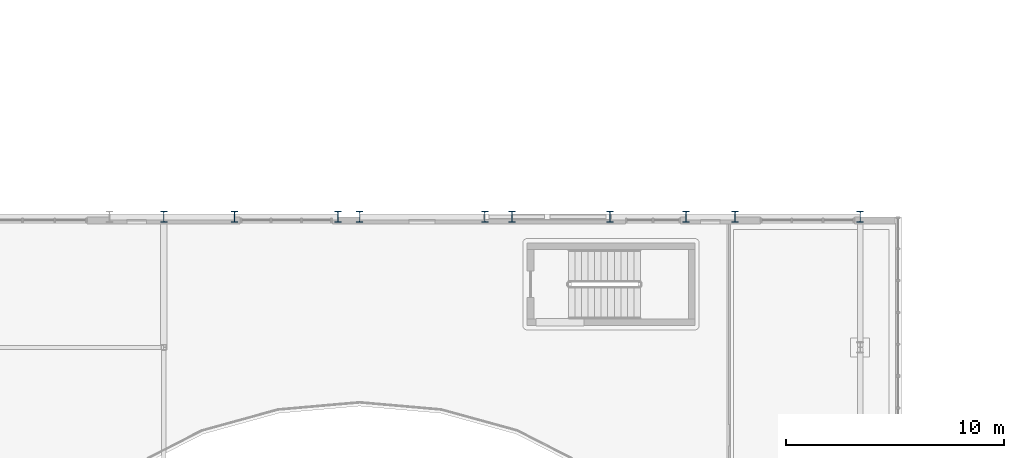
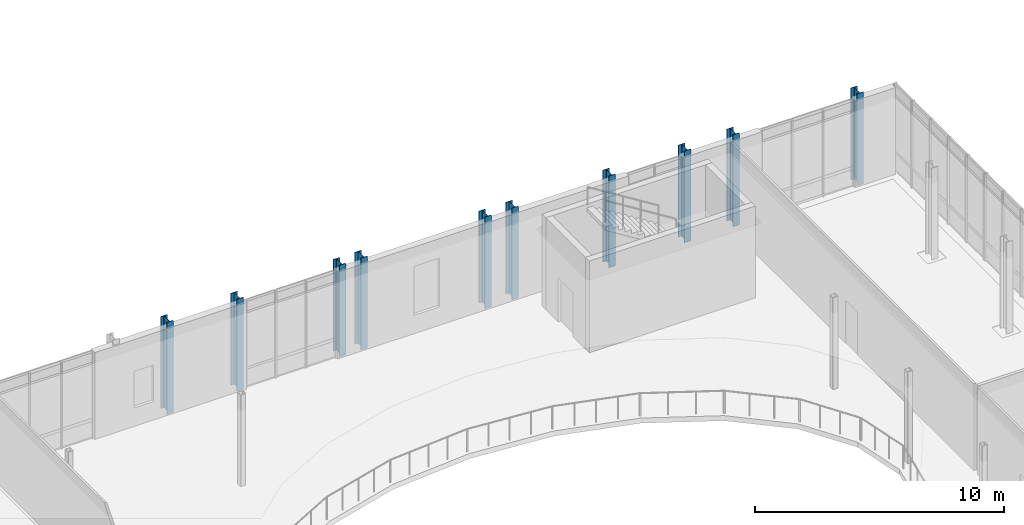
# One storey, part 9 of 100: 10 columns.
"""IFC4 building model written with IfcOpenShell, lengths in metres."""

from ifc_helpers import new_model, si_unit, direction, frame, origin, origin_2d, place, context, subcontext, project, spatial, i_section, extrude, material, material_profile, profile_set, type_object, element, save


model = new_model("IFC4")

# Units and contexts
model_context = context("Model", 3, precision=1e-05, world=origin(), true_north=direction((0.0, 1.0)))
body_context = subcontext(model_context, "Body", "Model", "MODEL_VIEW")
ifc_project = project(units=[si_unit("LENGTHUNIT", "METRE"), si_unit("AREAUNIT", "SQUARE_METRE"), si_unit("VOLUMEUNIT", "CUBIC_METRE"), si_unit("PLANEANGLEUNIT", "RADIAN"), si_unit("MASSUNIT", "GRAM", prefix="KILO")], contexts=[model_context])

# Site, building, storey
site_placement = place(None, origin())
site = spatial("IfcSite", under=ifc_project, at=site_placement, CompositionType="ELEMENT")
building_placement = place(site_placement, origin())
building = spatial("IfcBuilding", under=site, at=building_placement, Name="Cymarion Research Institute", CompositionType="ELEMENT")
storey_placement = place(building_placement, frame((0.0, 0.0, 9.300048828125)))
storey = spatial("IfcBuildingStorey", under=building, at=storey_placement, Name="L02", CompositionType="ELEMENT", Elevation=9.300048828125)

# Columns
ifc_material = material(Name="Steel S355", Category="steel")
ifc_material_profile = material_profile(ifc_material, i_section(OverallWidth=0.300048828125, OverallDepth=0.5, WebThickness=0.014404296875, FlangeThickness=0.028076171875, FilletRadius=0.027099609375, at=origin_2d()), Name="HEB 500")
ifc_profile_set = profile_set([ifc_material_profile], Name="Steel S355")
column_type = type_object("IfcColumnType", Name="STRUCTURAL COLUMN C04 HEB 500", PredefinedType="COLUMN", material=ifc_profile_set)
for number, where, z_axis, x_axis, name in (
    (1, (70.60009765625, 41.5, 0.0), (0.0, 0.0, 1.0), (1.0, 0.0, 0.0), "L02 V2 column C04 #787"),
    (2, (73.85009765625, 41.5, 0.0), (0.0, 0.0, 1.0), (1.0, 0.0, 0.0), "L02 V2 column C04 #789"),
    (3, (78.60009765625, 41.5, 0.0), (0.0, 0.0, 1.0), (1.0, 0.0, 0.0), "L02 V2 column C04 #792"),
    (4, (79.60009765625, 41.5, 0.0), (0.0, 0.0, 1.0), (1.0, 0.0, 0.0), "L02 V2 column C04 #794"),
    (5, (85.35009765625, 41.5, 0.0), (0.0, 0.0, 1.0), (1.0, 0.0, 0.0), "L02 V2 column C04 #797"),
    (6, (86.60009765625, 41.5, 0.0), (0.0, 0.0, 1.0), (1.0, 0.0, 0.0), "L02 V2 column C04 #800"),
    (7, (91.10009765625, 41.5, 0.0), (0.0, 0.0, 1.0), (1.0, 0.0, 0.0), "L02 V2 column C04 #802"),
    (8, (94.60009765625, 41.5, 0.0), (0.0, 0.0, 1.0), (1.0, 0.0, 0.0), "L02 V2 column C04 #808"),
    (9, (96.85009765625, 41.5, 0.0), (0.0, 0.0, 1.0), (1.0, 0.0, 0.0), "L02 V2 column C04 #810"),
    (10, (102.60009765625, 41.5, 0.0), (0.0, 0.0, 1.0), (1.0, 0.0, 0.0), "L02 V2 column C04 #817"),
):
    element("IfcColumn", number, at=place(storey_placement, frame(where, z_axis=z_axis, x_axis=x_axis)), inside=storey, type_object=column_type, Name=name, PredefinedType="COLUMN", context=body_context, shape_type="SweptSolid", body=[
        extrude(i_section(OverallWidth=0.300048828125, OverallDepth=0.5, WebThickness=0.014404296875, FlangeThickness=0.028076171875, FilletRadius=0.027099609375, at=origin_2d()), origin(), (0.0, 0.0, 1.0), 4.5),
    ])

save(model, "model.ifc")
